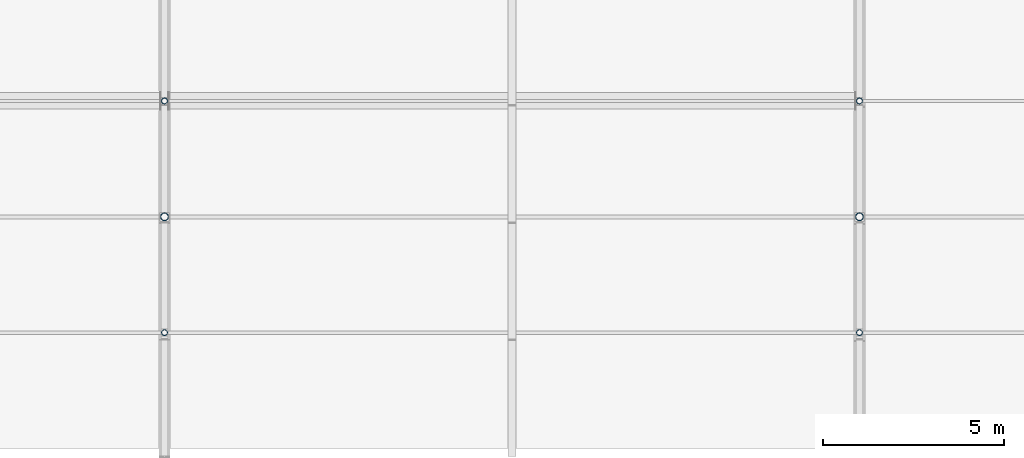
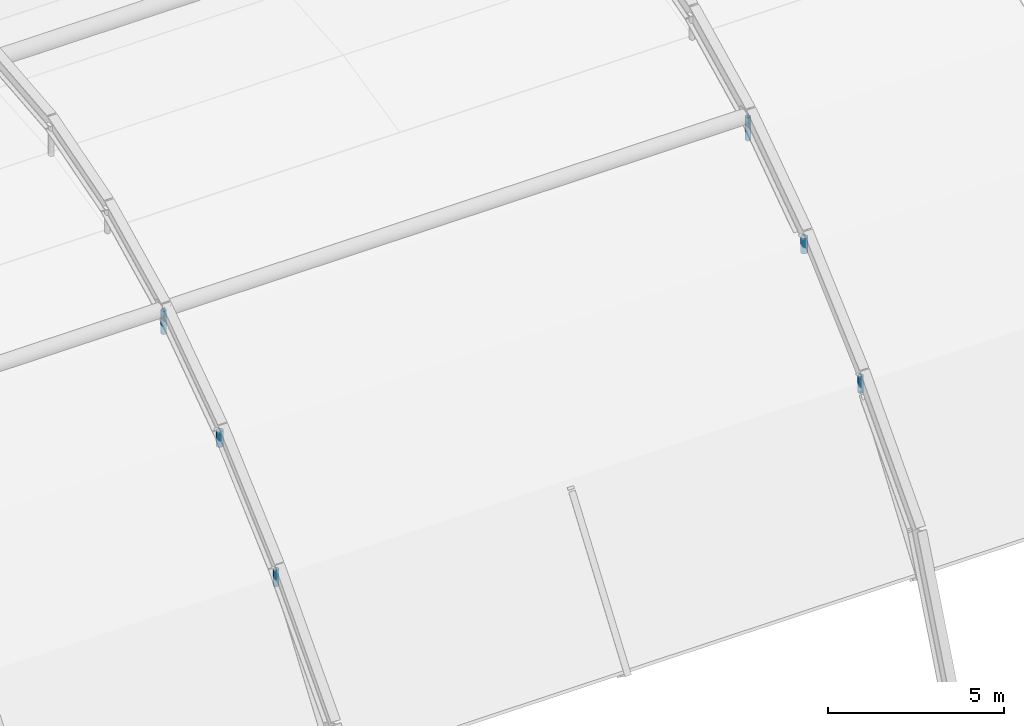
# One storey, part 100 of 126: 6 members.
"""IFC4 building model written with IfcOpenShell, lengths in metres."""

from ifc_helpers import new_model, si_unit, direction, frame, origin, origin_2d, place, context, subcontext, project, spatial, hollow_circle, extrude, material, material_profile, profile_set, type_object, element, save


model = new_model("IFC4")

# Units and contexts
model_context = context("Model", 3, precision=1e-05, world=origin(), true_north=direction((0.0, 1.0)))
body_context = subcontext(model_context, "Body", "Model", "MODEL_VIEW")
ifc_project = project(units=[si_unit("LENGTHUNIT", "METRE"), si_unit("AREAUNIT", "SQUARE_METRE"), si_unit("VOLUMEUNIT", "CUBIC_METRE"), si_unit("PLANEANGLEUNIT", "RADIAN"), si_unit("MASSUNIT", "GRAM", prefix="KILO")], contexts=[model_context])

# Site, building, storey
site_placement = place(None, origin())
site = spatial("IfcSite", under=ifc_project, at=site_placement, CompositionType="ELEMENT")
building_placement = place(site_placement, origin())
building = spatial("IfcBuilding", under=site, at=building_placement, Name="Coralgate Yard Interchange", CompositionType="ELEMENT")
storey_placement = place(building_placement, frame((0.0, 0.0, 10.5)))
storey = spatial("IfcBuildingStorey", under=building, at=storey_placement, Name="L02", CompositionType="ELEMENT", Elevation=10.5)

# Members
ifc_material = material(Name="Yellow-ochre weather-coated structural steel S355J2", Category="steel")
ifc_material_profile_1 = material_profile(ifc_material, hollow_circle(Radius=0.109619140625, WallThickness=0.010009765625, at=origin_2d()), Name="CHS 219.1x10")
ifc_profile_set_1 = profile_set([ifc_material_profile_1], Name="Yellow-ochre weather-coated structural steel S355J2")
member_type_1 = type_object("IfcMemberType", Name="MB-HG-1", PredefinedType="STRUT", material=ifc_profile_set_1)
for number, where, z_axis, x_axis, name in (
    (1, (105.60009765625, 44.800048828125, 7.44921875), (0.0, 0.0, 1.0), (1.0, 0.0, 0.0), "Arch AR-4 steel suspension hanger 2"),
    (2, (124.800048828125, 44.800048828125, 7.44921875), (0.0, 0.0, 1.0), (1.0, 0.0, 0.0), "Arch AR-5 steel suspension hanger 2"),
):
    element("IfcMember", number, at=place(storey_placement, frame(where, z_axis=z_axis, x_axis=x_axis)), inside=storey, type_object=member_type_1, Name=name, PredefinedType="STRUT", context=body_context, shape_type="SweptSolid", body=[
        extrude(hollow_circle(Radius=0.109619140625, WallThickness=0.010009765625, at=origin_2d()), origin(), (0.0, 0.0, 1.0), 0.539794921875),
    ])
ifc_material_profile_2 = material_profile(ifc_material, hollow_circle(Radius=0.084228515625, WallThickness=0.008056640625, at=origin_2d()), Name="CHS 168.3x8")
ifc_profile_set_2 = profile_set([ifc_material_profile_2], Name="Yellow-ochre weather-coated structural steel S355J2")
member_type_2 = type_object("IfcMemberType", Name="MB-HG-2", PredefinedType="STRUT", material=ifc_profile_set_2)
member_1_placement = place(storey_placement, frame((105.60009765625, 41.60009765625, 4.5361328125), z_axis=(0.0, 0.0, 1.0), x_axis=(1.0, 0.0, 0.0)))
element("IfcMember", 3, at=member_1_placement, inside=storey, type_object=member_type_2, Name="Arch AR-4 steel suspension hanger 1", PredefinedType="STRUT", context=body_context, shape_type="SweptSolid", body=[
    extrude(hollow_circle(Radius=0.084228515625, WallThickness=0.008056640625, at=origin_2d()), origin(), (0.0, 0.0, 1.0), 0.577880859375),
])
member_2_placement = place(storey_placement, frame((105.60009765625, 48.0, 9.41259765625), z_axis=(0.0, 0.0, 1.0), x_axis=(1.0, 0.0, 0.0)))
element("IfcMember", 4, at=member_2_placement, inside=storey, type_object=member_type_2, Name="Arch AR-4 steel suspension hanger 3", PredefinedType="STRUT", context=body_context, shape_type="SweptSolid", body=[
    extrude(hollow_circle(Radius=0.084228515625, WallThickness=0.008056640625, at=origin_2d()), origin(), (0.0, 0.0, 1.0), 0.8125),
])
member_3_placement = place(storey_placement, frame((124.800048828125, 41.60009765625, 4.5361328125), z_axis=(0.0, 0.0, 1.0), x_axis=(1.0, 0.0, 0.0)))
element("IfcMember", 5, at=member_3_placement, inside=storey, type_object=member_type_2, Name="Arch AR-5 steel suspension hanger 1", PredefinedType="STRUT", context=body_context, shape_type="SweptSolid", body=[
    extrude(hollow_circle(Radius=0.084228515625, WallThickness=0.008056640625, at=origin_2d()), origin(), (0.0, 0.0, 1.0), 0.577880859375),
])
member_4_placement = place(storey_placement, frame((124.800048828125, 48.0, 9.41259765625), z_axis=(0.0, 0.0, 1.0), x_axis=(1.0, 0.0, 0.0)))
element("IfcMember", 6, at=member_4_placement, inside=storey, type_object=member_type_2, Name="Arch AR-5 steel suspension hanger 3", PredefinedType="STRUT", context=body_context, shape_type="SweptSolid", body=[
    extrude(hollow_circle(Radius=0.084228515625, WallThickness=0.008056640625, at=origin_2d()), origin(), (0.0, 0.0, 1.0), 0.8125),
])

save(model, "model.ifc")
